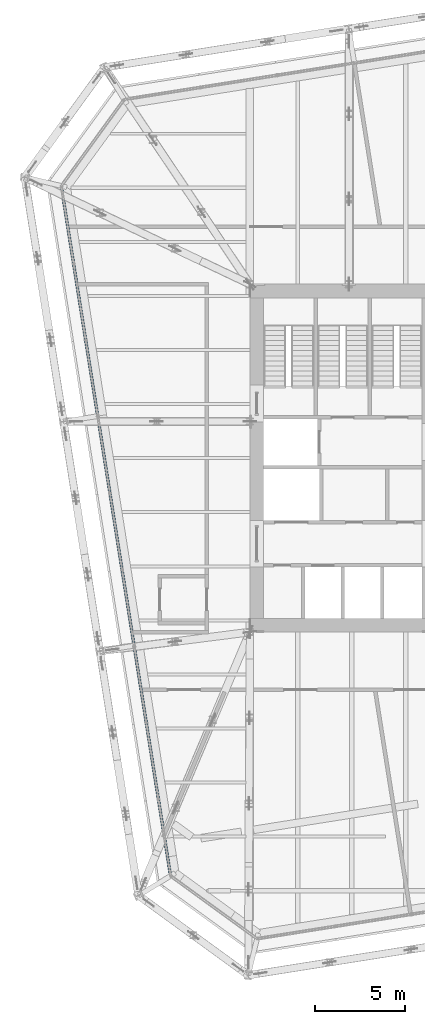
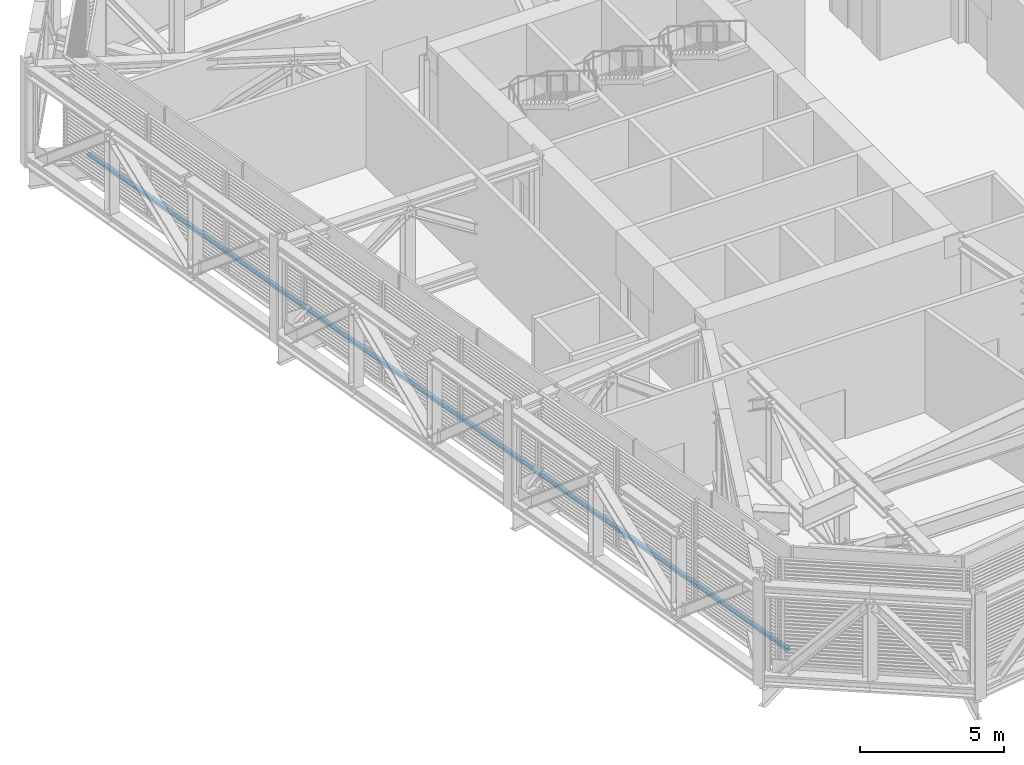
# One storey, part 5 of 31: 1 member, 1 element without a shape of its own.
"""IFC4 building model written with IfcOpenShell, lengths in metres."""

import ifcopenshell
import ifcopenshell.guid

model = None  # the IFC model being written
_history = None  # IfcOwnerHistory: only IFC2X3 demands one
_inside = {}  # id of a spatial element -> (the spatial element, [elements in it])
_under = {}  # id of a project, library or spatial element -> (it, [spatial elements below it])
_declared = {}  # id of a project -> (the project, [libraries it declares])
_typed = {}  # id of a type object -> (the type object, [elements of that type])
_made_of = {}  # id of a material, layer set ... -> (it, [elements and type objects made of it])


def new_model(schema):
    """Start an empty IFC model of exactly this schema.

    Asked for "IFC4X3", IfcOpenShell would pick the latest addendum, in which some entities
    have other attributes; the version numbers below select the first issue.
    IFC2X3 requires an IfcOwnerHistory on every rooted entity: one is made here for all.
    """
    global model, _history
    if schema == "IFC4X3":
        model = ifcopenshell.file(schema_version=(4, 3, 0, 0))
    else:
        model = ifcopenshell.file(schema=schema)
    _inside.clear()
    _under.clear()
    _declared.clear()
    _typed.clear()
    _made_of.clear()
    _history = None
    if model.schema == "IFC2X3":
        org = make("IfcOrganization", Name="unknown")
        user = make(
            "IfcPersonAndOrganization",
            ThePerson=make("IfcPerson", FamilyName="unknown"),
            TheOrganization=org,
        )
        app = make(
            "IfcApplication",
            ApplicationDeveloper=org,
            Version="unknown",
            ApplicationFullName="unknown",
            ApplicationIdentifier="unknown",
        )
        _history = make(
            "IfcOwnerHistory",
            OwningUser=user,
            OwningApplication=app,
            ChangeAction="ADDED",
            CreationDate=0,
        )
    return model


def make(cls, **values):
    """One entity of the class cls with the attributes given. An attribute that is None is left unset."""
    return model.create_entity(
        cls, **{name: value for name, value in values.items() if value is not None}
    )


def rooted(cls, **values):
    """An entity with a GlobalId (a new one), such as an element, a storey or a relation."""
    return make(cls, GlobalId=ifcopenshell.guid.new(), OwnerHistory=_history, **values)


def si_unit(unit_type, name, prefix=None):
    """IfcSIUnit, for example si_unit("LENGTHUNIT", "METRE", prefix="MILLI")."""
    return make("IfcSIUnit", UnitType=unit_type, Prefix=prefix, Name=name)


def assignment(units):
    """IfcUnitAssignment: the units of a project."""
    return None if units is None else make("IfcUnitAssignment", Units=units)


def point(xyz):
    """IfcCartesianPoint."""
    return None if xyz is None else make("IfcCartesianPoint", Coordinates=xyz)


def direction(xyz):
    """IfcDirection."""
    return None if xyz is None else make("IfcDirection", DirectionRatios=xyz)


def frame(location, z_axis=None, x_axis=None):
    """IfcAxis2Placement3D, a coordinate frame: its origin and axes. An axis left out is left unset."""
    return make(
        "IfcAxis2Placement3D",
        Location=point(location),
        Axis=direction(z_axis),
        RefDirection=direction(x_axis),
    )


def frame_2d(location, x_axis=None):
    """IfcAxis2Placement2D, a coordinate frame in the plane: its origin and x axis."""
    return make(
        "IfcAxis2Placement2D", Location=point(location), RefDirection=direction(x_axis)
    )


def origin():
    """The frame at (0, 0, 0) with its axes left unset."""
    return frame((0.0, 0.0, 0.0))


def origin_2d():
    """The frame at (0, 0) in the plane with its x axis left unset."""
    return frame_2d((0.0, 0.0))


def place(relative_to, where):
    """IfcLocalPlacement: puts the frame where relative to a parent placement (None: the world)."""
    return make(
        "IfcLocalPlacement", PlacementRelTo=relative_to, RelativePlacement=where
    )


def context(
    kind, dimensions, precision=None, world=None, true_north=None, identifier=None
):
    """IfcGeometricRepresentationContext, for example the 3D "Model" context."""
    return make(
        "IfcGeometricRepresentationContext",
        ContextIdentifier=identifier,
        ContextType=kind,
        CoordinateSpaceDimension=dimensions,
        Precision=precision,
        WorldCoordinateSystem=world,
        TrueNorth=true_north,
    )


def subcontext(parent, identifier, kind, view, scale=None):
    """IfcGeometricRepresentationSubContext, for example "Body" below "Model"."""
    return make(
        "IfcGeometricRepresentationSubContext",
        ContextIdentifier=identifier,
        ContextType=kind,
        ParentContext=parent,
        TargetScale=scale,
        TargetView=view,
    )


def project(units=None, contexts=None):
    """IfcProject with its units and contexts."""
    return rooted(
        "IfcProject",
        Name="project",
        RepresentationContexts=contexts,
        UnitsInContext=assignment(units),
    )


def spatial(cls, under=None, at=None, **own):
    """A site, building, storey or space (cls), placed at a placement, below another one or the project."""
    s = rooted(cls, ObjectPlacement=at, **own)
    if under is not None:
        _under.setdefault(under.id(), (under, []))[1].append(s)
    return s


def profile(cls, at=None, kind="AREA", **sizes):
    """A parametric profile (cls). Its sizes go by their IFC names, for example OverallWidth=200.0."""
    return make(cls, ProfileType=kind, Position=at, **sizes)


def rectangle(**sizes):
    """IfcRectangleProfileDef."""
    return profile("IfcRectangleProfileDef", **sizes)


def extrude(swept, where, along, depth):
    """IfcExtrudedAreaSolid: the profile swept, set in the frame where, extruded along a direction by depth."""
    return make(
        "IfcExtrudedAreaSolid",
        SweptArea=swept,
        Position=where,
        ExtrudedDirection=direction(along),
        Depth=depth,
    )


def shape(context_of_items, identifier, shape_type, items):
    """IfcShapeRepresentation: the items that make up one representation, for example the "Body"."""
    return make(
        "IfcShapeRepresentation",
        ContextOfItems=context_of_items,
        RepresentationIdentifier=identifier,
        RepresentationType=shape_type,
        Items=items,
    )


def material(Name=None, Category=None):
    """IfcMaterial."""
    return make("IfcMaterial", Name=Name, Category=Category)


def layer(
    of_material, thickness, ventilated=None, Name=None, Category=None, Priority=None
):
    """IfcMaterialLayer: one layer of a wall or slab, of a material (None: an air gap)."""
    return make(
        "IfcMaterialLayer",
        Material=of_material,
        LayerThickness=thickness,
        IsVentilated=ventilated,
        Name=Name,
        Category=Category,
        Priority=Priority,
    )


def layer_set(layers, Name=None):
    """IfcMaterialLayerSet."""
    return make("IfcMaterialLayerSet", MaterialLayers=layers, LayerSetName=Name)


def material_profile(
    of_material, cross_section, Name=None, Category=None, Priority=None
):
    """IfcMaterialProfile: a cross section and its material."""
    return make(
        "IfcMaterialProfile",
        Name=Name,
        Material=of_material,
        Profile=cross_section,
        Priority=Priority,
        Category=Category,
    )


def profile_set(profiles, Name=None, composite=None):
    """IfcMaterialProfileSet."""
    return make(
        "IfcMaterialProfileSet",
        Name=Name,
        MaterialProfiles=profiles,
        CompositeProfile=composite,
    )


def made_of(thing, what):
    """Note that an element or type object is made of a material, layer set ...; save() writes the relation."""
    if what is not None:
        _made_of.setdefault(what.id(), (what, []))[1].append(thing)
    return thing


def type_object(cls, material=None, **own):
    """A type object (cls), such as IfcWallType, which elements share."""
    return made_of(rooted(cls, **own), material)


def element(
    cls,
    number,
    at=None,
    inside=None,
    cuts=None,
    type_object=None,
    material=None,
    context=None,
    identifier="Body",
    shape_type=None,
    held_by="IfcProductDefinitionShape",
    body=None,
    shapes=None,
    **own,
):
    """One element of the class cls, such as IfcWall. Its Tag is "e" and its number.

    at: its placement. inside: the storey or other place that contains it. cuts: it is an
    opening in that element (IfcRelVoidsElement). A single representation is given by context,
    identifier, shape_type and body (its items); several are given by shapes. held_by: the class
    of the entity that holds the representations. save() writes the other relations.
    """
    e = rooted(cls, Tag="e%d" % number, ObjectPlacement=at, **own)
    if body is not None:
        shapes = [shape(context, identifier, shape_type, body)]
    if shapes is not None:
        e.Representation = make(held_by, Representations=shapes)
    if inside is not None:
        _inside.setdefault(inside.id(), (inside, []))[1].append(e)
    if cuts is not None:
        rooted(
            "IfcRelVoidsElement", RelatingBuildingElement=cuts, RelatedOpeningElement=e
        )
    if type_object is not None:
        _typed.setdefault(type_object.id(), (type_object, []))[1].append(e)
    return made_of(e, material)


def aggregate(whole, parts):
    """IfcRelAggregates: a whole, such as a stair, and the parts it consists of."""
    return rooted("IfcRelAggregates", RelatingObject=whole, RelatedObjects=parts)


def save(model, path):
    """Write the relations noted so far, then the file.

    IfcRelAggregates (storeys below a building ...), IfcRelContainedInSpatialStructure (elements
    in a storey), IfcRelDefinesByType, IfcRelAssociatesMaterial and IfcRelDeclares: one each for
    every whole, place, type object, material and project.
    """
    for whole, parts in _under.values():
        aggregate(whole, parts)
    for where, things in _inside.values():
        rooted(
            "IfcRelContainedInSpatialStructure",
            RelatedElements=things,
            RelatingStructure=where,
        )
    for kind, things in _typed.values():
        rooted("IfcRelDefinesByType", RelatedObjects=things, RelatingType=kind)
    for what, things in _made_of.values():
        rooted("IfcRelAssociatesMaterial", RelatedObjects=things, RelatingMaterial=what)
    for by, libraries in _declared.values():
        rooted("IfcRelDeclares", RelatingContext=by, RelatedDefinitions=libraries)
    model.write(path)


model = new_model("IFC4")

# Units and contexts
model_context = context("Model", 3, precision=1e-05, world=origin(), true_north=direction((0.0, 1.0)))
body_context = subcontext(model_context, "Body", "Model", "MODEL_VIEW")
ifc_project = project(units=[si_unit("LENGTHUNIT", "METRE"), si_unit("AREAUNIT", "SQUARE_METRE"), si_unit("VOLUMEUNIT", "CUBIC_METRE"), si_unit("PLANEANGLEUNIT", "RADIAN"), si_unit("MASSUNIT", "GRAM", prefix="KILO")], contexts=[model_context])

# Site, building, storey
site_placement = place(None, origin())
site = spatial("IfcSite", under=ifc_project, at=site_placement, CompositionType="ELEMENT")
building_placement = place(site_placement, origin())
building = spatial("IfcBuilding", under=site, at=building_placement, Name="Millrace Tower", CompositionType="ELEMENT")
storey_placement = place(building_placement, frame((0.0, 0.0, 195.60009765625)))
storey = spatial("IfcBuildingStorey", under=building, at=storey_placement, Name="L44", CompositionType="ELEMENT", Elevation=195.60009765625)

# Curtain wall, member
ifc_material_1 = material(Name="Aluminium and glass", Category="aluminium")
ifc_layer = layer(ifc_material_1, 0.14990234375)
ifc_layer_set = layer_set([ifc_layer], Name="Aluminium and glass")
curtain_wall_type = type_object("IfcCurtainWallType", Name="CW-5 truss and plant storey louvred infill", PredefinedType="NOTDEFINED", material=ifc_layer_set)
curtain_wall_placement = place(storey_placement, origin())
curtain_wall = element("IfcCurtainWall", 1, at=curtain_wall_placement, inside=storey, type_object=curtain_wall_type, Name="Curtain wall C-F08 L44", PredefinedType="NOTDEFINED")
ifc_material_2 = material(Name="Aluminium", Category="aluminium")
ifc_material_profile = material_profile(ifc_material_2, rectangle(XDim=0.14990234375, YDim=0.139892578125, at=origin_2d()))
ifc_profile_set = profile_set([ifc_material_profile], Name="Aluminium")
member_type = type_object("IfcMemberType", Name="CW-5 truss and plant storey louvred infill transom", PredefinedType="USERDEFINED", material=ifc_profile_set)
member_placement = place(storey_placement, frame((-25.09619140625, 14.97509765625, 0.06982421875), z_axis=(0.156433422663, -0.987688505691, 0.0), x_axis=(0.987688505691, 0.156433422663, 0.0)))
member = element("IfcMember", 2, at=member_placement, type_object=member_type, Name="CW5 transom C-F08.1", ObjectType="TRANSOM", PredefinedType="USERDEFINED", context=body_context, shape_type="SweptSolid", body=[
    extrude(rectangle(XDim=0.14990234375, YDim=0.139892578125, at=origin_2d()), origin(), (0.0, 0.0, 1.0), 38.5),
])
aggregate(curtain_wall, [member])

save(model, "model.ifc")
